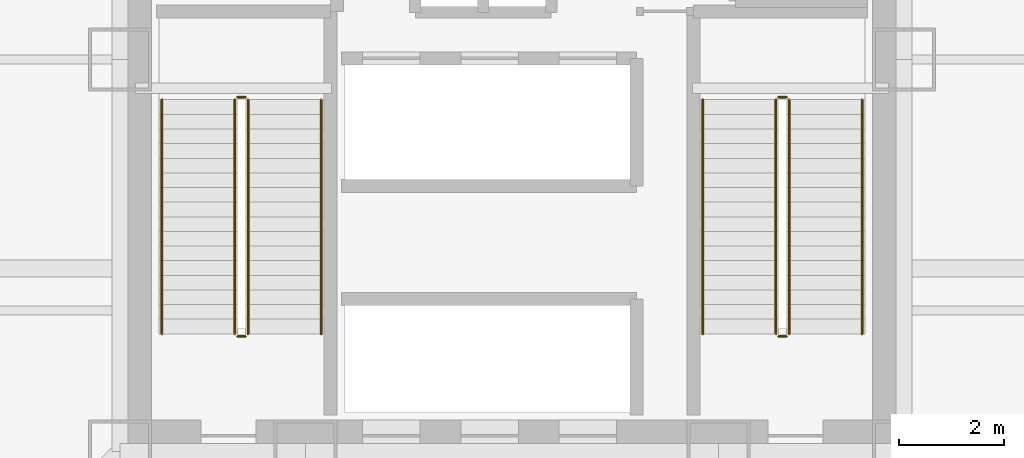
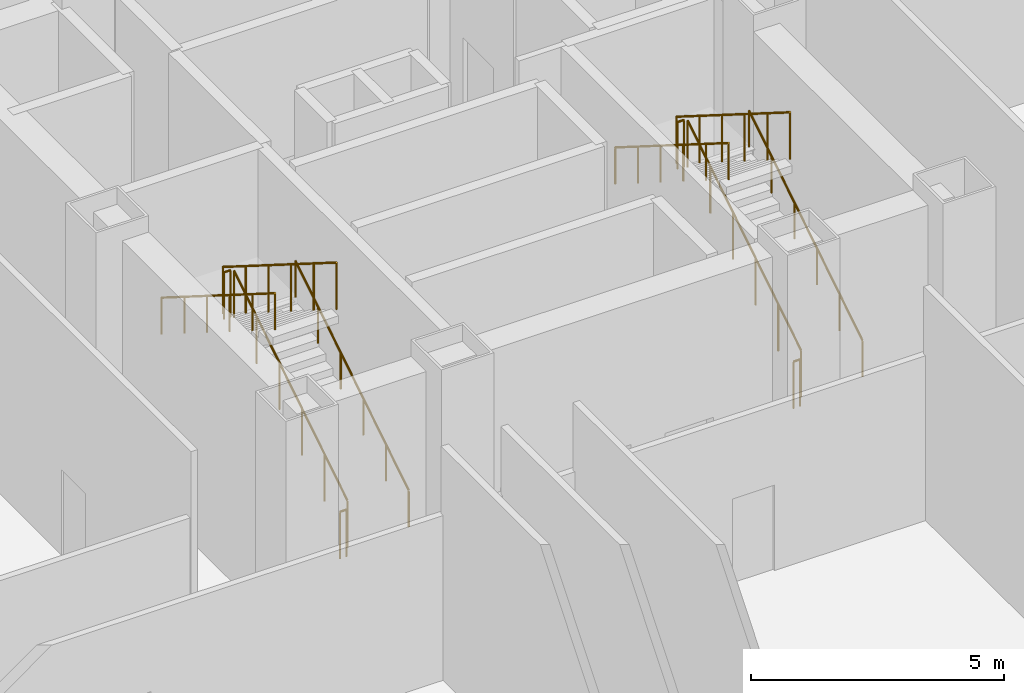
# One storey, part 6 of 7: 12 railings.
"""IFC4 building model written with IfcOpenShell, lengths in metres."""

from ifc_helpers import new_model, si_unit, direction, frame, origin, origin_2d, place, context, subcontext, project, spatial, circle, extrude, material, type_object, element, save


model = new_model("IFC4")

# Units and contexts
model_context = context("Model", 3, precision=1e-05, world=origin(), true_north=direction((0.0, 1.0)))
body_context = subcontext(model_context, "Body", "Model", "MODEL_VIEW")
ifc_project = project(units=[si_unit("LENGTHUNIT", "METRE"), si_unit("AREAUNIT", "SQUARE_METRE"), si_unit("VOLUMEUNIT", "CUBIC_METRE"), si_unit("PLANEANGLEUNIT", "RADIAN"), si_unit("MASSUNIT", "GRAM", prefix="KILO")], contexts=[model_context])

# Site, building, storey
site_placement = place(None, origin())
site = spatial("IfcSite", under=ifc_project, at=site_placement, CompositionType="ELEMENT")
building_placement = place(site_placement, origin())
building = spatial("IfcBuilding", under=site, at=building_placement, Name="Trevonay Congress Spire", CompositionType="ELEMENT")
storey_placement = place(building_placement, frame((0.0, 0.0, 88.0)))
storey = spatial("IfcBuildingStorey", under=building, at=storey_placement, Name="L22", CompositionType="ELEMENT", Elevation=88.0)

# Railings
ifc_material = material(Name="Pale Anodised Aluminium EN AW-6063-T6", Category="aluminium")
railing_type_1 = type_object("IfcRailingType", Name="RAL-STAIR-GUARD-110", PredefinedType="GUARDRAIL", material=ifc_material)
railing_1_placement = place(storey_placement, frame((-5.050048828125, -5.25, 0.176513671875)))
element("IfcRailing", 1, at=railing_1_placement, inside=storey, type_object=railing_type_1, Name="L22 ST-1 stair guard 1", PredefinedType="GUARDRAIL", context=body_context, shape_type="SweptSolid", body=[
    extrude(circle(Radius=0.02392578125, at=origin_2d()), frame((0.0, 0.0, 1.1259765625), z_axis=(0.0, 0.845997938375, 0.533186166611), x_axis=(-1.0, 0.0, 0.0)), (0.0, 0.0, 1.0), 5.29541015625),
    extrude(circle(Radius=0.02099609375, at=origin_2d()), origin(), (0.0, 0.0, 1.0), 1.101806640625),
    extrude(circle(Radius=0.02099609375, at=origin_2d()), frame((0.0, 0.89599609375, 0.564697265625)), (0.0, 0.0, 1.0), 1.101806640625),
    extrude(circle(Radius=0.02099609375, at=origin_2d()), frame((0.0, 1.7919921875, 1.12939453125)), (0.0, 0.0, 1.0), 1.101806640625),
    extrude(circle(Radius=0.02099609375, at=origin_2d()), frame((0.0, 2.68798828125, 1.694091796875)), (0.0, 0.0, 1.0), 1.101806640625),
    extrude(circle(Radius=0.02099609375, at=origin_2d()), frame((0.0, 3.583984375, 2.2587890625)), (0.0, 0.0, 1.0), 1.101806640625),
    extrude(circle(Radius=0.02099609375, at=origin_2d()), frame((0.0, 4.47998046875, 2.823486328125)), (0.0, 0.0, 1.0), 1.101806640625),
])
railing_2_placement = place(storey_placement, frame((-5.10009765625, -0.719970703125, 3.0)))
element("IfcRailing", 2, at=railing_2_placement, inside=storey, type_object=railing_type_1, Name="L22 ST-1 stair guard 2", PredefinedType="GUARDRAIL", context=body_context, shape_type="SweptSolid", body=[
    extrude(circle(Radius=0.02392578125, at=origin_2d()), frame((0.0, 0.0, 1.1259765625), z_axis=(-1.0, 0.0, 0.0), x_axis=(0.0, -1.0, 0.0)), (0.0, 0.0, 1.0), 0.14990234375),
    extrude(circle(Radius=0.02099609375, at=origin_2d()), origin(), (0.0, 0.0, 1.0), 1.101806640625),
    extrude(circle(Radius=0.02099609375, at=origin_2d()), frame((-0.14990234375, 0.0, 0.0)), (0.0, 0.0, 1.0), 1.101806640625),
])
railing_3_placement = place(storey_placement, frame((-5.300048828125, -0.77001953125, 3.176513671875)))
element("IfcRailing", 3, at=railing_3_placement, inside=storey, type_object=railing_type_1, Name="L22 ST-1 stair guard 3", PredefinedType="GUARDRAIL", context=body_context, shape_type="SweptSolid", body=[
    extrude(circle(Radius=0.02392578125, at=origin_2d()), frame((0.0, 0.0, 1.1259765625), z_axis=(0.0, -0.845997938375, 0.533186166611), x_axis=(1.0, 0.0, 0.0)), (0.0, 0.0, 1.0), 5.29541015625),
    extrude(circle(Radius=0.02099609375, at=origin_2d()), origin(), (0.0, 0.0, 1.0), 1.101806640625),
    extrude(circle(Radius=0.02099609375, at=origin_2d()), frame((0.0, -0.89599609375, 0.564697265625)), (0.0, 0.0, 1.0), 1.101806640625),
    extrude(circle(Radius=0.02099609375, at=origin_2d()), frame((0.0, -1.7919921875, 1.12939453125)), (0.0, 0.0, 1.0), 1.101806640625),
    extrude(circle(Radius=0.02099609375, at=origin_2d()), frame((0.0, -2.68798828125, 1.694091796875)), (0.0, 0.0, 1.0), 1.101806640625),
    extrude(circle(Radius=0.02099609375, at=origin_2d()), frame((0.0, -3.583984375, 2.2587890625)), (0.0, 0.0, 1.0), 1.101806640625),
    extrude(circle(Radius=0.02099609375, at=origin_2d()), frame((0.0, -4.47998046875, 2.823486328125)), (0.0, 0.0, 1.0), 1.101806640625),
])
railing_4_placement = place(storey_placement, frame((-5.10009765625, -5.300048828125, 0.0)))
element("IfcRailing", 4, at=railing_4_placement, inside=storey, type_object=railing_type_1, Name="L22 ST-1 stair guard 4", PredefinedType="GUARDRAIL", context=body_context, shape_type="SweptSolid", body=[
    extrude(circle(Radius=0.02392578125, at=origin_2d()), frame((0.0, 0.0, 1.1259765625), z_axis=(-1.0, 0.0, 0.0), x_axis=(0.0, -1.0, 0.0)), (0.0, 0.0, 1.0), 0.14990234375),
    extrude(circle(Radius=0.02099609375, at=origin_2d()), origin(), (0.0, 0.0, 1.0), 1.101806640625),
    extrude(circle(Radius=0.02099609375, at=origin_2d()), frame((-0.14990234375, 0.0, 0.0)), (0.0, 0.0, 1.0), 1.101806640625),
])
railing_5_placement = place(storey_placement, frame((5.300048828125, -5.25, 0.176513671875)))
element("IfcRailing", 5, at=railing_5_placement, inside=storey, type_object=railing_type_1, Name="L22 ST-2 stair guard 1", PredefinedType="GUARDRAIL", context=body_context, shape_type="SweptSolid", body=[
    extrude(circle(Radius=0.02392578125, at=origin_2d()), frame((0.0, 0.0, 1.1259765625), z_axis=(0.0, 0.845997938375, 0.533186166611), x_axis=(-1.0, 0.0, 0.0)), (0.0, 0.0, 1.0), 5.29541015625),
    extrude(circle(Radius=0.02099609375, at=origin_2d()), origin(), (0.0, 0.0, 1.0), 1.101806640625),
    extrude(circle(Radius=0.02099609375, at=origin_2d()), frame((0.0, 0.89599609375, 0.564697265625)), (0.0, 0.0, 1.0), 1.101806640625),
    extrude(circle(Radius=0.02099609375, at=origin_2d()), frame((0.0, 1.7919921875, 1.12939453125)), (0.0, 0.0, 1.0), 1.101806640625),
    extrude(circle(Radius=0.02099609375, at=origin_2d()), frame((0.0, 2.68798828125, 1.694091796875)), (0.0, 0.0, 1.0), 1.101806640625),
    extrude(circle(Radius=0.02099609375, at=origin_2d()), frame((0.0, 3.583984375, 2.2587890625)), (0.0, 0.0, 1.0), 1.101806640625),
    extrude(circle(Radius=0.02099609375, at=origin_2d()), frame((0.0, 4.47998046875, 2.823486328125)), (0.0, 0.0, 1.0), 1.101806640625),
])
railing_6_placement = place(storey_placement, frame((5.25, -0.719970703125, 3.0)))
element("IfcRailing", 6, at=railing_6_placement, inside=storey, type_object=railing_type_1, Name="L22 ST-2 stair guard 2", PredefinedType="GUARDRAIL", context=body_context, shape_type="SweptSolid", body=[
    extrude(circle(Radius=0.02392578125, at=origin_2d()), frame((0.0, 0.0, 1.1259765625), z_axis=(-1.0, 0.0, 0.0), x_axis=(0.0, -1.0, 0.0)), (0.0, 0.0, 1.0), 0.14990234375),
    extrude(circle(Radius=0.02099609375, at=origin_2d()), origin(), (0.0, 0.0, 1.0), 1.101806640625),
    extrude(circle(Radius=0.02099609375, at=origin_2d()), frame((-0.14990234375, 0.0, 0.0)), (0.0, 0.0, 1.0), 1.101806640625),
])
railing_7_placement = place(storey_placement, frame((5.050048828125, -0.77001953125, 3.176513671875)))
element("IfcRailing", 7, at=railing_7_placement, inside=storey, type_object=railing_type_1, Name="L22 ST-2 stair guard 3", PredefinedType="GUARDRAIL", context=body_context, shape_type="SweptSolid", body=[
    extrude(circle(Radius=0.02392578125, at=origin_2d()), frame((0.0, 0.0, 1.1259765625), z_axis=(0.0, -0.845997938375, 0.533186166611), x_axis=(1.0, 0.0, 0.0)), (0.0, 0.0, 1.0), 5.29541015625),
    extrude(circle(Radius=0.02099609375, at=origin_2d()), origin(), (0.0, 0.0, 1.0), 1.101806640625),
    extrude(circle(Radius=0.02099609375, at=origin_2d()), frame((0.0, -0.89599609375, 0.564697265625)), (0.0, 0.0, 1.0), 1.101806640625),
    extrude(circle(Radius=0.02099609375, at=origin_2d()), frame((0.0, -1.7919921875, 1.12939453125)), (0.0, 0.0, 1.0), 1.101806640625),
    extrude(circle(Radius=0.02099609375, at=origin_2d()), frame((0.0, -2.68798828125, 1.694091796875)), (0.0, 0.0, 1.0), 1.101806640625),
    extrude(circle(Radius=0.02099609375, at=origin_2d()), frame((0.0, -3.583984375, 2.2587890625)), (0.0, 0.0, 1.0), 1.101806640625),
    extrude(circle(Radius=0.02099609375, at=origin_2d()), frame((0.0, -4.47998046875, 2.823486328125)), (0.0, 0.0, 1.0), 1.101806640625),
])
railing_8_placement = place(storey_placement, frame((5.25, -5.300048828125, 0.0)))
element("IfcRailing", 8, at=railing_8_placement, inside=storey, type_object=railing_type_1, Name="L22 ST-2 stair guard 4", PredefinedType="GUARDRAIL", context=body_context, shape_type="SweptSolid", body=[
    extrude(circle(Radius=0.02392578125, at=origin_2d()), frame((0.0, 0.0, 1.1259765625), z_axis=(-1.0, 0.0, 0.0), x_axis=(0.0, -1.0, 0.0)), (0.0, 0.0, 1.0), 0.14990234375),
    extrude(circle(Radius=0.02099609375, at=origin_2d()), origin(), (0.0, 0.0, 1.0), 1.101806640625),
    extrude(circle(Radius=0.02099609375, at=origin_2d()), frame((-0.14990234375, 0.0, 0.0)), (0.0, 0.0, 1.0), 1.101806640625),
])
railing_type_2 = type_object("IfcRailingType", Name="RAL-STAIR-HANDRAIL", PredefinedType="HANDRAIL", material=ifc_material)
railing_9_placement = place(storey_placement, frame((-3.64990234375, -5.25, 0.176513671875)))
element("IfcRailing", 9, at=railing_9_placement, inside=storey, type_object=railing_type_2, Name="L22 ST-1 stair handrail 1", PredefinedType="HANDRAIL", context=body_context, shape_type="SweptSolid", body=[
    extrude(circle(Radius=0.02392578125, at=origin_2d()), frame((0.0, 0.0, 0.8759765625), z_axis=(0.0, 0.845997938375, 0.533186166611), x_axis=(-1.0, 0.0, 0.0)), (0.0, 0.0, 1.0), 5.29541015625),
    extrude(circle(Radius=0.02099609375, at=origin_2d()), origin(), (0.0, 0.0, 1.0), 0.851806640625),
    extrude(circle(Radius=0.02099609375, at=origin_2d()), frame((0.0, 0.89599609375, 0.564697265625)), (0.0, 0.0, 1.0), 0.851806640625),
    extrude(circle(Radius=0.02099609375, at=origin_2d()), frame((0.0, 1.7919921875, 1.12939453125)), (0.0, 0.0, 1.0), 0.851806640625),
    extrude(circle(Radius=0.02099609375, at=origin_2d()), frame((0.0, 2.68798828125, 1.694091796875)), (0.0, 0.0, 1.0), 0.851806640625),
    extrude(circle(Radius=0.02099609375, at=origin_2d()), frame((0.0, 3.583984375, 2.2587890625)), (0.0, 0.0, 1.0), 0.851806640625),
    extrude(circle(Radius=0.02099609375, at=origin_2d()), frame((0.0, 4.47998046875, 2.823486328125)), (0.0, 0.0, 1.0), 0.851806640625),
])
railing_10_placement = place(storey_placement, frame((-6.699951171875, -0.77001953125, 3.176513671875)))
element("IfcRailing", 10, at=railing_10_placement, inside=storey, type_object=railing_type_2, Name="L22 ST-1 stair handrail 2", PredefinedType="HANDRAIL", context=body_context, shape_type="SweptSolid", body=[
    extrude(circle(Radius=0.02392578125, at=origin_2d()), frame((0.0, 0.0, 0.8759765625), z_axis=(0.0, -0.845997938375, 0.533186166611), x_axis=(1.0, 0.0, 0.0)), (0.0, 0.0, 1.0), 5.29541015625),
    extrude(circle(Radius=0.02099609375, at=origin_2d()), origin(), (0.0, 0.0, 1.0), 0.851806640625),
    extrude(circle(Radius=0.02099609375, at=origin_2d()), frame((0.0, -0.89599609375, 0.564697265625)), (0.0, 0.0, 1.0), 0.851806640625),
    extrude(circle(Radius=0.02099609375, at=origin_2d()), frame((0.0, -1.7919921875, 1.12939453125)), (0.0, 0.0, 1.0), 0.851806640625),
    extrude(circle(Radius=0.02099609375, at=origin_2d()), frame((0.0, -2.68798828125, 1.694091796875)), (0.0, 0.0, 1.0), 0.851806640625),
    extrude(circle(Radius=0.02099609375, at=origin_2d()), frame((0.0, -3.583984375, 2.2587890625)), (0.0, 0.0, 1.0), 0.851806640625),
    extrude(circle(Radius=0.02099609375, at=origin_2d()), frame((0.0, -4.47998046875, 2.823486328125)), (0.0, 0.0, 1.0), 0.851806640625),
])
railing_11_placement = place(storey_placement, frame((6.699951171875, -5.25, 0.176513671875)))
element("IfcRailing", 11, at=railing_11_placement, inside=storey, type_object=railing_type_2, Name="L22 ST-2 stair handrail 1", PredefinedType="HANDRAIL", context=body_context, shape_type="SweptSolid", body=[
    extrude(circle(Radius=0.02392578125, at=origin_2d()), frame((0.0, 0.0, 0.8759765625), z_axis=(0.0, 0.845997938375, 0.533186166611), x_axis=(-1.0, 0.0, 0.0)), (0.0, 0.0, 1.0), 5.29541015625),
    extrude(circle(Radius=0.02099609375, at=origin_2d()), origin(), (0.0, 0.0, 1.0), 0.851806640625),
    extrude(circle(Radius=0.02099609375, at=origin_2d()), frame((0.0, 0.89599609375, 0.564697265625)), (0.0, 0.0, 1.0), 0.851806640625),
    extrude(circle(Radius=0.02099609375, at=origin_2d()), frame((0.0, 1.7919921875, 1.12939453125)), (0.0, 0.0, 1.0), 0.851806640625),
    extrude(circle(Radius=0.02099609375, at=origin_2d()), frame((0.0, 2.68798828125, 1.694091796875)), (0.0, 0.0, 1.0), 0.851806640625),
    extrude(circle(Radius=0.02099609375, at=origin_2d()), frame((0.0, 3.583984375, 2.2587890625)), (0.0, 0.0, 1.0), 0.851806640625),
    extrude(circle(Radius=0.02099609375, at=origin_2d()), frame((0.0, 4.47998046875, 2.823486328125)), (0.0, 0.0, 1.0), 0.851806640625),
])
railing_12_placement = place(storey_placement, frame((3.64990234375, -0.77001953125, 3.176513671875)))
element("IfcRailing", 12, at=railing_12_placement, inside=storey, type_object=railing_type_2, Name="L22 ST-2 stair handrail 2", PredefinedType="HANDRAIL", context=body_context, shape_type="SweptSolid", body=[
    extrude(circle(Radius=0.02392578125, at=origin_2d()), frame((0.0, 0.0, 0.8759765625), z_axis=(0.0, -0.845997938375, 0.533186166611), x_axis=(1.0, 0.0, 0.0)), (0.0, 0.0, 1.0), 5.29541015625),
    extrude(circle(Radius=0.02099609375, at=origin_2d()), origin(), (0.0, 0.0, 1.0), 0.851806640625),
    extrude(circle(Radius=0.02099609375, at=origin_2d()), frame((0.0, -0.89599609375, 0.564697265625)), (0.0, 0.0, 1.0), 0.851806640625),
    extrude(circle(Radius=0.02099609375, at=origin_2d()), frame((0.0, -1.7919921875, 1.12939453125)), (0.0, 0.0, 1.0), 0.851806640625),
    extrude(circle(Radius=0.02099609375, at=origin_2d()), frame((0.0, -2.68798828125, 1.694091796875)), (0.0, 0.0, 1.0), 0.851806640625),
    extrude(circle(Radius=0.02099609375, at=origin_2d()), frame((0.0, -3.583984375, 2.2587890625)), (0.0, 0.0, 1.0), 0.851806640625),
    extrude(circle(Radius=0.02099609375, at=origin_2d()), frame((0.0, -4.47998046875, 2.823486328125)), (0.0, 0.0, 1.0), 0.851806640625),
])

save(model, "model.ifc")
